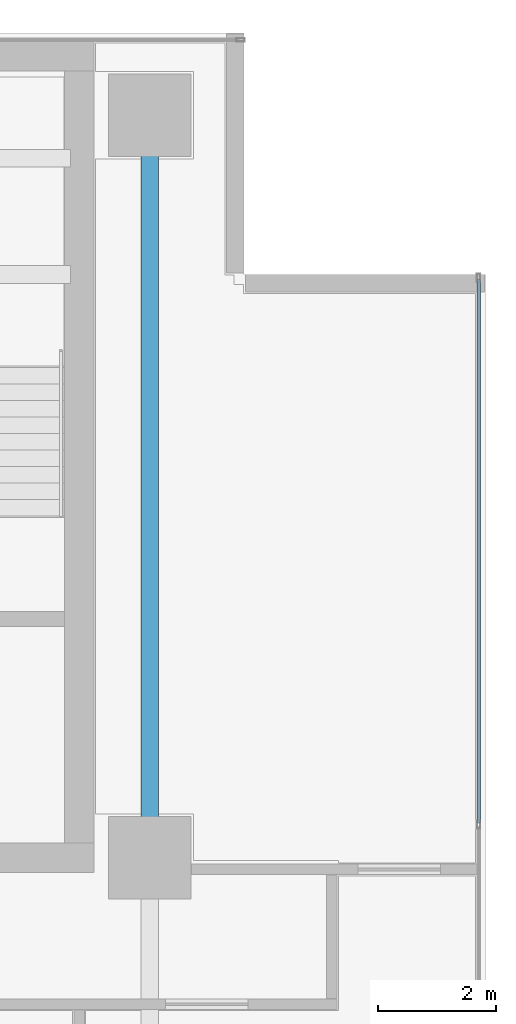
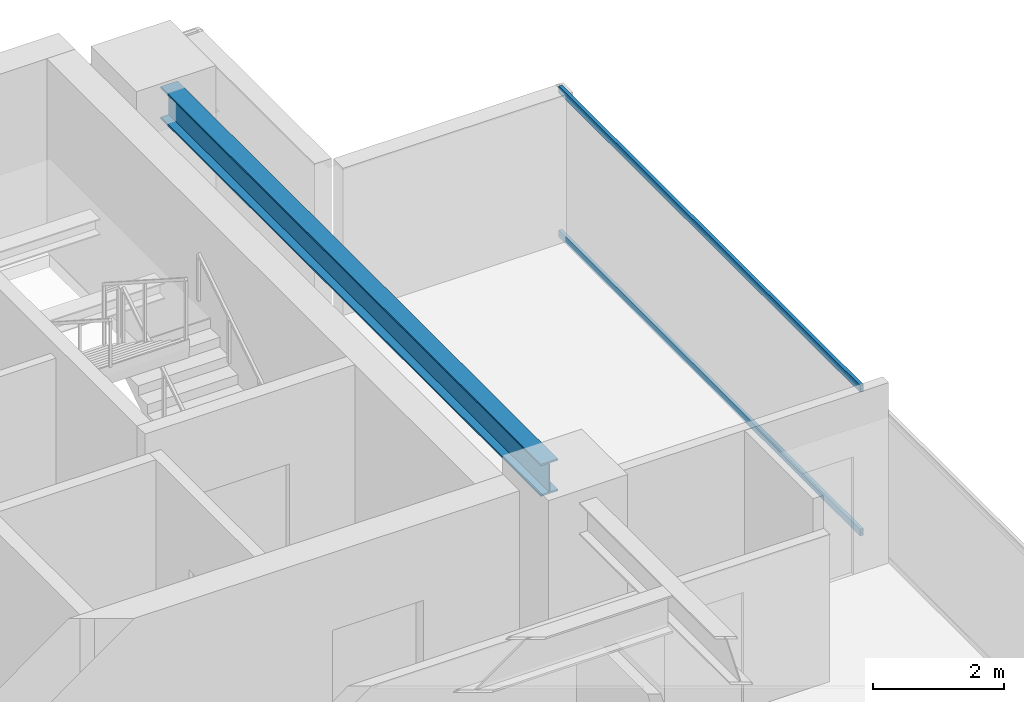
# One storey, part 14 of 26: 2 members, 1 beam, 1 element without a shape of its own.
"""IFC4 building model written with IfcOpenShell, lengths in metres."""

from ifc_helpers import new_model, si_unit, direction, frame, origin, origin_2d, place, context, subcontext, project, spatial, hollow_rectangle, i_section, extrude, source, transform, mapped, material, layer, layer_set, material_profile, profile_set, type_object, element, aggregate, save


model = new_model("IFC4")

# Units and contexts
model_context = context("Model", 3, precision=1e-05, world=origin(), true_north=direction((0.0, 1.0)))
body_context = subcontext(model_context, "Body", "Model", "MODEL_VIEW")
ifc_project = project(units=[si_unit("LENGTHUNIT", "METRE"), si_unit("AREAUNIT", "SQUARE_METRE"), si_unit("VOLUMEUNIT", "CUBIC_METRE"), si_unit("PLANEANGLEUNIT", "RADIAN"), si_unit("MASSUNIT", "GRAM", prefix="KILO")], contexts=[model_context])

# Site, building, storey
site_placement = place(None, origin())
site = spatial("IfcSite", under=ifc_project, at=site_placement, CompositionType="ELEMENT")
building_placement = place(site_placement, origin())
building = spatial("IfcBuilding", under=site, at=building_placement, Name="Sumidabori Civic Tower", CompositionType="ELEMENT")
storey_placement = place(building_placement, frame((0.0, 0.0, 264.800048828125)))
storey = spatial("IfcBuildingStorey", under=building, at=storey_placement, Name="L69", CompositionType="ELEMENT", Elevation=264.800048828125)

# Beam
ifc_material_1 = material(Name="Steel SN490", Category="steel")
ifc_material_profile_1 = material_profile(ifc_material_1, i_section(OverallWidth=0.300048828125, OverallDepth=0.60009765625, WebThickness=0.015380859375, FlangeThickness=0.030029296875, at=origin_2d()), Name="HE 600 B")
ifc_profile_set_1 = profile_set([ifc_material_profile_1], Name="Steel SN490")
beam_type = type_object("IfcBeamType", Name="BM-GIRD-600", PredefinedType="BEAM", material=ifc_profile_set_1)
shared_shape_1 = source(origin(), body_context, "Body", "SweptSolid", [
    extrude(i_section(OverallWidth=0.300048828125, OverallDepth=0.60009765625, WebThickness=0.015380859375, FlangeThickness=0.030029296875, at=origin_2d()), origin(), (0.0, 0.0, 1.0), 11.64013671875),
])
beam_placement = place(storey_placement, frame((16.800048828125, 10.679931640625, 3.070068359375), z_axis=(0.0, 1.0, 0.0), x_axis=(-1.0, 0.0, 0.0)))
element("IfcBeam", 1, at=beam_placement, inside=storey, type_object=beam_type, Name="Primary Girder L69 GY-17", PredefinedType="BEAM", context=body_context, shape_type="MappedRepresentation", body=[
    mapped(shared_shape_1, transform((0.0, 0.0, 0.0), x_axis=(1.0, 0.0, 0.0), y_axis=(0.0, 1.0, 0.0), z_axis=(0.0, 0.0, 1.0), scale=1.0)),
])

# Curtain wall, members
ifc_material_2 = material(Name="Anodised Bronze Aluminium AW-6063-T6", Category="aluminium")
ifc_layer = layer(ifc_material_2, 0.179931640625, Name="Anodised Bronze Aluminium AW-6063-T6")
ifc_layer_set = layer_set([ifc_layer], Name="Anodised Bronze Aluminium AW-6063-T6")
curtain_wall_type = type_object("IfcCurtainWallType", Name="CW-SYS-5", PredefinedType="NOTDEFINED", material=ifc_layer_set)
curtain_wall_placement = place(storey_placement, origin())
curtain_wall = element("IfcCurtainWall", 2, at=curtain_wall_placement, inside=storey, type_object=curtain_wall_type, Name="Curtain Wall CW:L69:R04", PredefinedType="NOTDEFINED")
ifc_material_profile_2 = material_profile(ifc_material_2, hollow_rectangle(XDim=0.06005859375, YDim=0.1298828125, WallThickness=0.0048828125, at=origin_2d()), Name="ALU TRANSOM 130x60")
ifc_profile_set_2 = profile_set([ifc_material_profile_2], Name="Anodised Bronze Aluminium AW-6063-T6")
member_type = type_object("IfcMemberType", Name="CW-TRN-130", PredefinedType="USERDEFINED", material=ifc_profile_set_2)
shared_shape_2 = source(origin(), body_context, "Body", "SweptSolid", [
    extrude(hollow_rectangle(XDim=0.06005859375, YDim=0.1298828125, WallThickness=0.0048828125, at=origin_2d()), origin(), (0.0, 0.0, 1.0), 9.223388671875),
])
member_1_placement = place(storey_placement, frame((22.3798828125, 10.78662109375, 0.030029296875), z_axis=(0.0, 1.0, 0.0), x_axis=(-1.0, 0.0, 0.0)))
member_1 = element("IfcMember", 3, at=member_1_placement, type_object=member_type, Name="CW-5 transom 3.1", ObjectType="TRANSOM", PredefinedType="USERDEFINED", context=body_context, shape_type="MappedRepresentation", body=[
    mapped(shared_shape_2, transform((0.0, 0.0, 0.0), x_axis=(1.0, 0.0, 0.0), y_axis=(0.0, 1.0, 0.0), z_axis=(0.0, 0.0, 1.0), scale=1.0)),
])
member_2_placement = place(storey_placement, frame((22.3798828125, 10.78662109375, 2.719970703125), z_axis=(0.0, 1.0, 0.0), x_axis=(-1.0, 0.0, 0.0)))
member_2 = element("IfcMember", 4, at=member_2_placement, type_object=member_type, Name="CW-5 transom 3.2", ObjectType="TRANSOM", PredefinedType="USERDEFINED", context=body_context, shape_type="MappedRepresentation", body=[
    mapped(shared_shape_2, transform((0.0, 0.0, 0.0), x_axis=(1.0, 0.0, 0.0), y_axis=(0.0, 1.0, 0.0), z_axis=(0.0, 0.0, 1.0), scale=1.0)),
])
aggregate(curtain_wall, [member_1, member_2])

save(model, "model.ifc")
